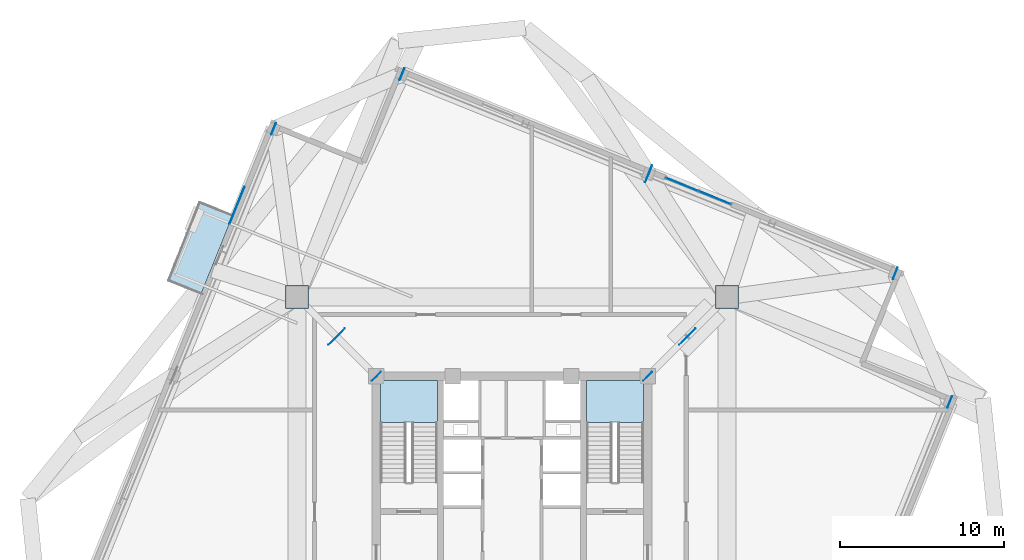
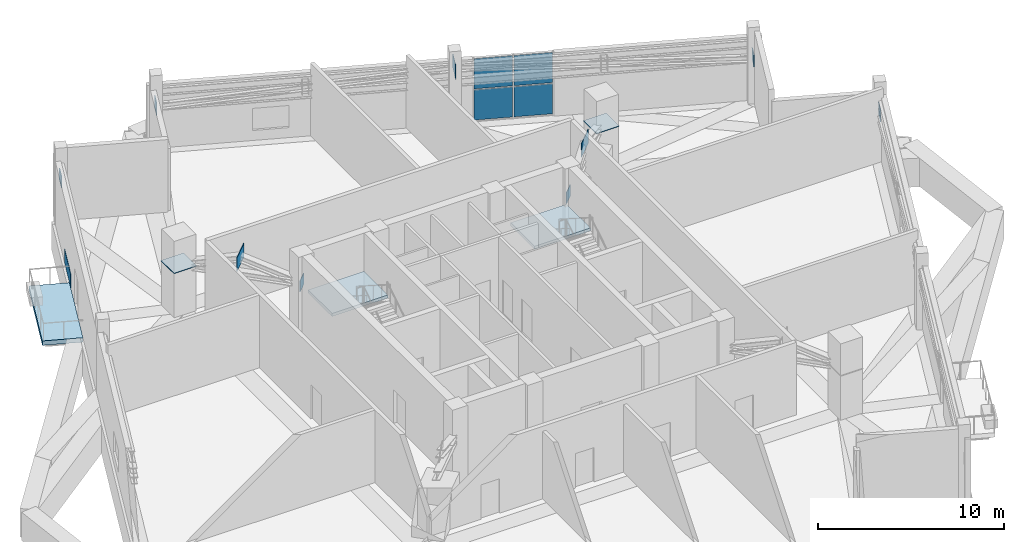
# One storey, part 14 of 20: 16 plates, 3 slabs, 3 elements without a shape of their own.
"""IFC4 building model written with IfcOpenShell, lengths in metres."""

from ifc_helpers import new_model, si_unit, direction, frame, origin, origin_2d, place, context, subcontext, project, spatial, polyline, rectangle, outline, extrude, source, transform, mapped, material, layer, layer_set, type_object, element, aggregate, save


model = new_model("IFC4")

# Units and contexts
model_context = context("Model", 3, precision=1e-05, world=origin(), true_north=direction((0.0, 1.0)))
body_context = subcontext(model_context, "Body", "Model", "MODEL_VIEW")
ifc_project = project(units=[si_unit("LENGTHUNIT", "METRE"), si_unit("AREAUNIT", "SQUARE_METRE"), si_unit("VOLUMEUNIT", "CUBIC_METRE"), si_unit("PLANEANGLEUNIT", "RADIAN"), si_unit("MASSUNIT", "GRAM", prefix="KILO"), si_unit("THERMODYNAMICTEMPERATUREUNIT", "KELVIN")], contexts=[model_context])

# Site, building, storey
site_placement = place(None, origin())
site = spatial("IfcSite", under=ifc_project, at=site_placement, CompositionType="ELEMENT")
building_placement = place(site_placement, origin())
building = spatial("IfcBuilding", under=site, at=building_placement, Name="Kosmvard Interchange Tower", CompositionType="ELEMENT")
storey_placement = place(building_placement, frame((0.0, 0.0, 260.199951171875)))
storey = spatial("IfcBuildingStorey", under=building, at=storey_placement, Name="L63", CompositionType="ELEMENT", Elevation=260.199951171875)

# Slab
ifc_material_1 = material(Name="Precast concrete C45/55", Category="concrete")
ifc_layer_1 = layer(ifc_material_1, 0.2900390625, Name="Precast concrete C45/55")
ifc_layer_set_1 = layer_set([ifc_layer_1], Name="Precast concrete C45/55")
slab_type_1 = type_object("IfcSlabType", Name="Cascade Garden Terrace Slab 290 C45/55", PredefinedType="FLOOR", material=ifc_layer_set_1)
slab_1_placement = place(storey_placement, frame((0.0, 0.0, -0.2900390625)))
element("IfcSlab", 1, at=slab_1_placement, inside=storey, type_object=slab_type_1, Name="L63 Outdoor Terrace Balcony Slab SKG-L63-N", PredefinedType="FLOOR", context=body_context, shape_type="SweptSolid", body=[
    extrude(outline(polyline([(-18.91357421875, 13.25), (-16.9658203125, 18.0712890625), (-19.005615234375, 18.8955078125), (-20.953369140625, 14.07421875), (-18.91357421875, 13.25)])), origin(), (0.0, 0.0, 1.0), 0.2900390625),
])

# Stair, slab
ifc_material_2 = material(Name="Concrete C50/60", Category="concrete")
stair_type = type_object("IfcStairType", Name="Dog-Leg Core Exit Stair H5000 C50/60", PredefinedType="HALF_TURN_STAIR", material=ifc_material_2)
stair_1_placement = place(storey_placement, origin())
stair_1 = element("IfcStair", 2, at=stair_1_placement, inside=storey, type_object=stair_type, Name="L63 Protected Exit Stair ST-1", PredefinedType="HALF_TURN_STAIR")
ifc_layer_2 = layer(ifc_material_2, 0.199951171875, Name="Concrete C50/60")
ifc_layer_set_2 = layer_set([ifc_layer_2], Name="Concrete C50/60")
slab_type_2 = type_object("IfcSlabType", Name="Stair Half-Landing Slab 200 C50/60", PredefinedType="LANDING", material=ifc_layer_set_2)
slab_2_placement = place(storey_placement, frame((0.0, 0.0, 2.300048828125)))
slab_2 = element("IfcSlab", 3, at=slab_2_placement, type_object=slab_type_2, Name="ST-1 landing 1", PredefinedType="LANDING", context=body_context, shape_type="SweptSolid", body=[
    extrude(outline(polyline([(-4.5400390625, 5.43994140625), (-4.5400390625, 8.0), (-8.0, 8.0), (-8.0, 5.43994140625), (-4.5400390625, 5.43994140625)])), origin(), (0.0, 0.0, 1.0), 0.199951171875),
])
aggregate(stair_1, [slab_2])

stair_2_placement = place(storey_placement, origin())
stair_2 = element("IfcStair", 4, at=stair_2_placement, inside=storey, type_object=stair_type, Name="L63 Protected Exit Stair ST-2", PredefinedType="HALF_TURN_STAIR")
slab_3_placement = place(storey_placement, frame((0.0, 0.0, 2.300048828125)))
slab_3 = element("IfcSlab", 5, at=slab_3_placement, type_object=slab_type_2, Name="ST-2 landing 1", PredefinedType="LANDING", context=body_context, shape_type="SweptSolid", body=[
    extrude(outline(polyline([(8.0, 5.43994140625), (8.0, 8.0), (4.5400390625, 8.0), (4.5400390625, 5.43994140625), (8.0, 5.43994140625)])), origin(), (0.0, 0.0, 1.0), 0.199951171875),
])
aggregate(stair_2, [slab_3])

# Plates
ifc_material_3 = material(Name="Steel S460", Category="steel")
ifc_layer_3 = layer(ifc_material_3, 0.031982421875, Name="Steel S460")
ifc_layer_set_3 = layer_set([ifc_layer_3], Name="Steel S460")
plate_type_1 = type_object("IfcPlateType", Name="Belt Truss Gusset Plate 1100x1100x32 S460", PredefinedType="USERDEFINED", material=ifc_layer_set_3)
shared_shape_1 = source(origin(), body_context, "Body", "SweptSolid", [
    extrude(rectangle(XDim=0.75, YDim=0.031982421875, at=origin_2d()), origin(), (0.0, 0.0, 1.0), 0.75),
])
for number, where, z_axis, x_axis, name in (
    (6, (8.25, 8.25, 2.545166015625), (0.0, 0.0, 1.0), (0.707106781187, 0.707106781187, 0.0), "L63 Outrigger Core End Gusset Plate 3"),
    (7, (-8.25, 8.25, 2.545166015625), (0.0, 0.0, 1.0), (0.707106781187, 0.707106781187, 0.0), "L63 Outrigger Core End Gusset Plate 4"),
    (8, (26.61962890625, 6.690185546875, 2.445068359375), (0.0, 0.0, 1.0), (0.374606593416, 0.927183854567, 0.0), "L63 Belt Truss End Gusset Plate BBS"),
    (9, (23.30419921875, 14.5009765625, 2.445068359375), (0.0, 0.0, 1.0), (0.374606593416, 0.927183854567, 0.0), "L63 Belt Truss End Gusset Plate BAE"),
    (10, (-6.690185546875, 26.61962890625, 2.445068359375), (0.0, 0.0, 1.0), (0.374606593416, 0.927183854567, 0.0), "L63 Belt Truss End Gusset Plate BBE"),
    (11, (-14.5009765625, 23.30419921875, 2.445068359375), (0.0, 0.0, 1.0), (0.374606593416, 0.927183854567, 0.0), "L63 Belt Truss End Gusset Plate BAN"),
):
    element("IfcPlate", number, at=place(storey_placement, frame(where, z_axis=z_axis, x_axis=x_axis)), inside=storey, type_object=plate_type_1, Name=name, ObjectType="GUSSET_PLATE", PredefinedType="USERDEFINED", context=body_context, shape_type="MappedRepresentation", body=[
        mapped(shared_shape_1, transform((0.0, 0.0, 0.0), scale=1.0)),
    ])
ifc_layer_4 = layer(ifc_material_3, 0.035888671875, Name="Steel S460")
ifc_layer_set_4 = layer_set([ifc_layer_4], Name="Steel S460")
plate_type_2 = type_object("IfcPlateType", Name="Outrigger Node Gusset Plate 1400x1400x36 S460", PredefinedType="USERDEFINED", material=ifc_layer_set_4)
shared_shape_2 = source(origin(), body_context, "Body", "SweptSolid", [
    extrude(rectangle(XDim=1.39990234375, YDim=0.035888671875, at=origin_2d()), origin(), (0.0, 0.0, 1.0), 0.89990234375),
])
for number, where, z_axis, x_axis, name in (
    (12, (10.66552734375, 10.66552734375, 3.5), (0.0, 0.0, 1.0), (0.707106781187, 0.707106781187, 0.0), "L63 Outrigger Node Gusset Plate 3"),
    (13, (-10.66552734375, 10.66552734375, 3.5), (0.0, 0.0, 1.0), (0.707106781187, 0.707106781187, 0.0), "L63 Outrigger Node Gusset Plate 4"),
):
    element("IfcPlate", number, at=place(storey_placement, frame(where, z_axis=z_axis, x_axis=x_axis)), inside=storey, type_object=plate_type_2, Name=name, ObjectType="GUSSET_PLATE", PredefinedType="USERDEFINED", context=body_context, shape_type="MappedRepresentation", body=[
        mapped(shared_shape_2, transform((0.0, 0.0, 0.0), scale=1.0)),
    ])
ifc_layer_5 = layer(ifc_material_3, 0.034912109375, Name="Steel S460")
ifc_layer_set_5 = layer_set([ifc_layer_5], Name="Steel S460")
plate_type_3 = type_object("IfcPlateType", Name="Mega-Column Splice Flange Plate 1400x1400x35 S460", PredefinedType="USERDEFINED", material=ifc_layer_set_5)
shared_shape_3 = source(origin(), body_context, "Body", "SweptSolid", [
    extrude(rectangle(XDim=1.39990234375, YDim=1.39990234375, at=origin_2d()), origin(), (0.0, 0.0, 1.0), 0.034912109375),
])
for number, where, z_axis, x_axis, name in (
    (14, (13.0810546875, 13.0810546875, 2.90283203125), (0.0, 0.0, 1.0), (1.0, 0.0, 0.0), "L63 Mega-Column Splice Flange Plate 3"),
    (15, (-13.0810546875, 13.0810546875, 2.90283203125), (0.0, 0.0, 1.0), (1.0, 0.0, 0.0), "L63 Mega-Column Splice Flange Plate 4"),
):
    element("IfcPlate", number, at=place(storey_placement, frame(where, z_axis=z_axis, x_axis=x_axis)), inside=storey, type_object=plate_type_3, Name=name, ObjectType="FLANGE_PLATE", PredefinedType="USERDEFINED", context=body_context, shape_type="MappedRepresentation", body=[
        mapped(shared_shape_3, transform((0.0, 0.0, 0.0), scale=1.0)),
    ])
shared_shape_4 = source(origin(), body_context, "Body", "SweptSolid", [
    extrude(rectangle(XDim=1.10009765625, YDim=0.031982421875, at=origin_2d()), origin(), (0.0, 0.0, 1.0), 0.89990234375),
])
plate_1_placement = place(storey_placement, frame((8.306884765625, 20.560302734375, 3.320068359375), z_axis=(0.0, 0.0, 1.0), x_axis=(0.374606593416, 0.927183854567, 0.0)))
element("IfcPlate", 16, at=plate_1_placement, inside=storey, type_object=plate_type_1, Name="L63 Belt Truss Node Gusset Plate E", ObjectType="GUSSET_PLATE", PredefinedType="USERDEFINED", context=body_context, shape_type="MappedRepresentation", body=[
    mapped(shared_shape_4, transform((0.0, 0.0, 0.0), scale=1.0)),
])
ifc_material_4 = material(Name="Architectural anodised aluminium", Category="aluminium")
ifc_layer_6 = layer(ifc_material_4, 0.0400390625, Name="Architectural anodised aluminium")
ifc_layer_set_6 = layer_set([ifc_layer_6], Name="Architectural anodised aluminium")
plate_type_4 = type_object("IfcPlateType", Name="Precast Spandrel Shadow Feature Sheet 2400x900x40", PredefinedType="SHEET", material=ifc_layer_set_6)
shared_shape_5 = source(origin(), body_context, "Body", "SweptSolid", [
    extrude(rectangle(XDim=0.0400390625, YDim=2.39990234375, at=origin_2d()), origin(), (0.0, 0.0, 1.0), 0.89990234375),
])
plate_2_placement = place(storey_placement, frame((-16.72509765625, 18.65087890625, 0.050048828125), z_axis=(0.0, 0.0, 1.0), x_axis=(-0.927183733755, 0.374606892434, 0.0)))
element("IfcPlate", 17, at=plate_2_placement, inside=storey, type_object=plate_type_4, Name="L63 Transfer Spandrel Fascia Sheet N", PredefinedType="SHEET", context=body_context, shape_type="MappedRepresentation", body=[
    mapped(shared_shape_5, transform((0.0, 0.0, 0.0), scale=1.0)),
])

# Curtain wall, plates
ifc_layer_7 = layer(ifc_material_4, 0.2099609375, Name="Architectural anodised aluminium")
ifc_layer_set_7 = layer_set([ifc_layer_7], Name="Architectural anodised aluminium")
curtain_wall_type = type_object("IfcCurtainWallType", Name="CW-4 Refuge Transfer Glazed Louvre Wall", PredefinedType="NOTDEFINED", material=ifc_layer_set_7)
curtain_wall_placement = place(storey_placement, origin())
curtain_wall = element("IfcCurtainWall", 18, at=curtain_wall_placement, inside=storey, type_object=curtain_wall_type, Name="L63 Transfer Louvre Curtain Wall E", PredefinedType="NOTDEFINED")
ifc_material_5 = material(Name="Low-E solar-control double glazing", Category="glass")
ifc_layer_8 = layer(ifc_material_5, 0.028076171875, Name="Low-E solar-control double glazing")
ifc_layer_set_8 = layer_set([ifc_layer_8], Name="Low-E solar-control double glazing")
plate_type_5 = type_object("IfcPlateType", Name="Concourse Vision Curtain Panel 28", PredefinedType="CURTAIN_PANEL", material=ifc_layer_set_8)
shared_shape_6 = source(origin(), body_context, "Body", "SweptSolid", [
    extrude(rectangle(XDim=2.08740234375, YDim=0.028076171875, at=origin_2d()), origin(), (0.0, 0.0, 1.0), 1.9775390625),
])
plate_3_placement = place(storey_placement, frame((12.340087890625, 19.1142578125, 0.06494140625), z_axis=(0.0, 0.0, 1.0), x_axis=(-0.927183856711, 0.374606588108, 0.0)))
plate_3 = element("IfcPlate", 19, at=plate_3_placement, type_object=plate_type_5, Name="CW-4 panel 1.1", PredefinedType="CURTAIN_PANEL", context=body_context, shape_type="MappedRepresentation", body=[
    mapped(shared_shape_6, transform((0.0, 0.0, 0.0), scale=1.0)),
])
plate_4_placement = place(storey_placement, frame((12.340087890625, 19.1142578125, 2.107421875), z_axis=(0.0, 0.0, 1.0), x_axis=(-0.927183856711, 0.374606588108, 0.0)))
plate_4 = element("IfcPlate", 20, at=plate_4_placement, type_object=plate_type_5, Name="CW-4 panel 1.2", PredefinedType="CURTAIN_PANEL", context=body_context, shape_type="MappedRepresentation", body=[
    mapped(shared_shape_6, transform((0.0, 0.0, 0.0), scale=1.0)),
])
plate_5_placement = place(storey_placement, frame((10.3349609375, 19.92431640625, 0.06494140625), z_axis=(0.0, 0.0, 1.0), x_axis=(-0.927183856711, 0.374606588108, 0.0)))
plate_5 = element("IfcPlate", 21, at=plate_5_placement, type_object=plate_type_5, Name="CW-4 panel 2.1", PredefinedType="CURTAIN_PANEL", context=body_context, shape_type="MappedRepresentation", body=[
    mapped(shared_shape_6, transform((0.0, 0.0, 0.0), scale=1.0)),
])
plate_6_placement = place(storey_placement, frame((10.3349609375, 19.92431640625, 2.107421875), z_axis=(0.0, 0.0, 1.0), x_axis=(-0.927183856711, 0.374606588108, 0.0)))
plate_6 = element("IfcPlate", 22, at=plate_6_placement, type_object=plate_type_5, Name="CW-4 panel 2.2", PredefinedType="CURTAIN_PANEL", context=body_context, shape_type="MappedRepresentation", body=[
    mapped(shared_shape_6, transform((0.0, 0.0, 0.0), scale=1.0)),
])
aggregate(curtain_wall, [plate_3, plate_4, plate_5, plate_6])

save(model, "model.ifc")
